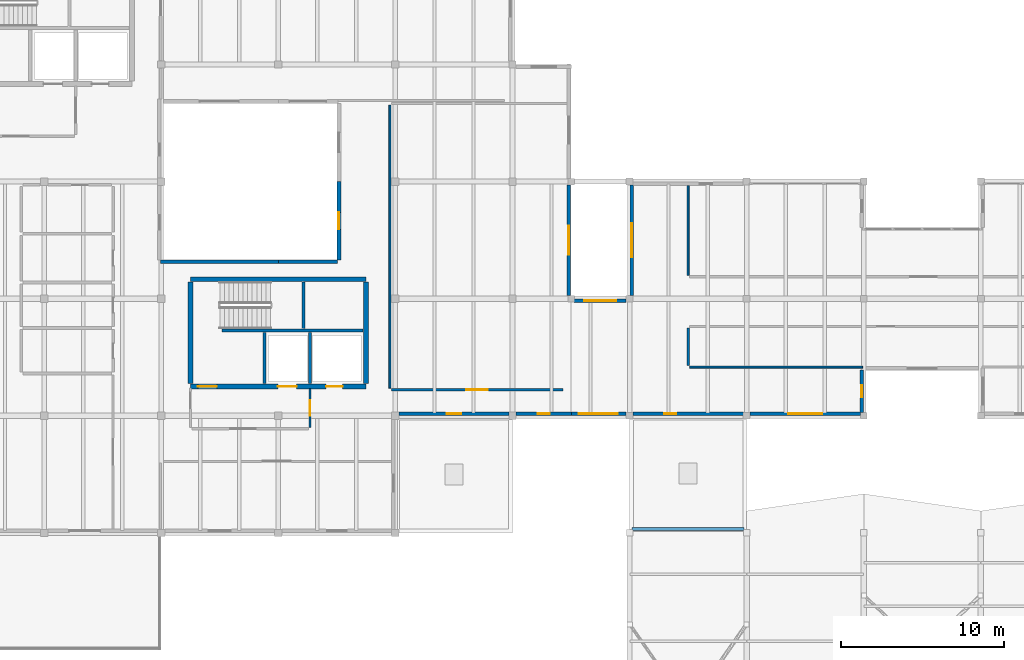
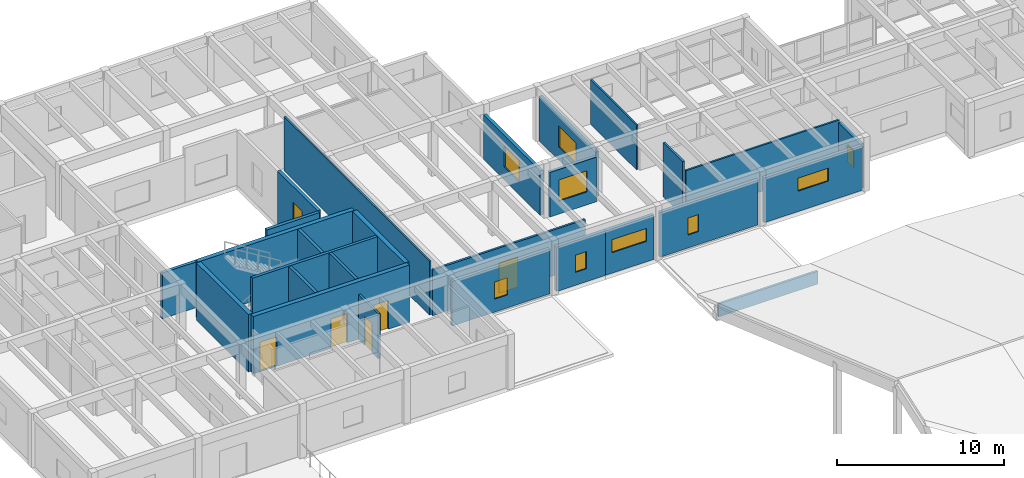
# One storey, part 57 of 68: 27 walls, 10 windows, 5 doors, 15 openings.
"""IFC4 building model written with IfcOpenShell, lengths in metres."""

from ifc_helpers import new_model, si_unit, direction, frame, frame_2d, origin, place, context, subcontext, project, spatial, rectangle, extrude, material, layer, layer_set, type_object, element, fill, save


model = new_model("IFC4")

# Units and contexts
model_context = context("Model", 3, precision=1e-05, world=origin(), true_north=direction((0.0, 1.0)))
body_context = subcontext(model_context, "Body", "Model", "MODEL_VIEW")
ifc_project = project(units=[si_unit("LENGTHUNIT", "METRE"), si_unit("AREAUNIT", "SQUARE_METRE"), si_unit("VOLUMEUNIT", "CUBIC_METRE"), si_unit("PLANEANGLEUNIT", "RADIAN"), si_unit("MASSUNIT", "GRAM", prefix="KILO")], contexts=[model_context])

# Site, building, storey
site_placement = place(None, origin())
site = spatial("IfcSite", under=ifc_project, at=site_placement, CompositionType="ELEMENT")
building_placement = place(site_placement, origin())
building = spatial("IfcBuilding", under=site, at=building_placement, Name="Bramvelor Terrace Health Centre", CompositionType="ELEMENT")
storey_placement = place(building_placement, frame((0.0, 0.0, 9.300048828125)))
storey = spatial("IfcBuildingStorey", under=building, at=storey_placement, Name="L03", CompositionType="ELEMENT", Elevation=9.300048828125)

# Walls
ifc_material_1 = material(Name="Acoustic clinical partition board", Category="gypsum")
ifc_layer_1 = layer(ifc_material_1, 0.110107421875)
ifc_layer_set_1 = layer_set([ifc_layer_1], Name="Acoustic clinical partition board")
wall_type_1 = type_object("IfcWallType", Name="WL-CLN-110", PredefinedType="PARTITIONING", material=ifc_layer_set_1)
wall_1_placement = place(storey_placement, frame((28.4599609375, 88.10009765625, 0.0), z_axis=(0.0, 0.0, 1.0), x_axis=(0.0, 1.0, 0.0)))
element("IfcWall", 1, at=wall_1_placement, inside=storey, type_object=wall_type_1, Name="L03 Interior Partition 258", PredefinedType="PARTITIONING", context=body_context, shape_type="SweptSolid", body=[
    extrude(rectangle(XDim=17.409912109375, YDim=0.110107421875, at=frame_2d((8.705078125, 0.0))), origin(), (0.0, 0.0, 1.0), 3.969970703125),
])
wall_2_placement = place(storey_placement, frame((46.800048828125, 95.0419921875, 0.0), z_axis=(0.0, 0.0, 1.0), x_axis=(0.0, 1.0, 0.0)))
element("IfcWall", 2, at=wall_2_placement, inside=storey, type_object=wall_type_1, Name="L03 Interior Partition 270", PredefinedType="PARTITIONING", context=body_context, shape_type="SweptSolid", body=[
    extrude(rectangle(XDim=5.508056640625, YDim=0.110107421875, at=frame_2d((2.75390625, 0.0))), origin(), (0.0, 0.0, 1.0), 3.27001953125),
])
ifc_material_2 = material(Name="Acoustic clinical partition board", Category="gypsum")
ifc_layer_2 = layer(ifc_material_2, 0.1201171875)
ifc_layer_set_2 = layer_set([ifc_layer_2], Name="Acoustic clinical partition board")
wall_type_2 = type_object("IfcWallType", Name="WL-CLN-120", PredefinedType="PARTITIONING", material=ifc_layer_set_2)
wall_3_placement = place(storey_placement, frame((57.53076171875, 89.39990234375, 0.0), z_axis=(0.0, 0.0, 1.0), x_axis=(-1.0, 0.0, 0.0)))
element("IfcWall", 3, at=wall_3_placement, inside=storey, type_object=wall_type_2, Name="L03 Interior Partition 263", PredefinedType="PARTITIONING", context=body_context, shape_type="SweptSolid", body=[
    extrude(rectangle(XDim=10.638671875, YDim=0.1201171875, at=frame_2d((5.3193359375, 0.0))), origin(), (0.0, 0.0, 1.0), 3.349853515625),
])

# Wall, opening, door
ifc_material_3 = material(Name="Fire-rated gypsum and mineral wool", Category="gypsum")
ifc_layer_3 = layer(ifc_material_3, 0.139892578125)
ifc_layer_set_3 = layer_set([ifc_layer_3], Name="Fire-rated gypsum and mineral wool")
wall_type_3 = type_object("IfcWallType", Name="WL-COR-140", PredefinedType="PARTITIONING", material=ifc_layer_set_3)
wall_4_placement = place(storey_placement, frame((39.110107421875, 88.010009765625, 0.0), z_axis=(0.0, 0.0, 1.0), x_axis=(-1.0, 0.0, 0.0)))
wall_4 = element("IfcWall", 4, at=wall_4_placement, inside=storey, type_object=wall_type_3, Name="L03 Interior Partition 257", PredefinedType="PARTITIONING", context=body_context, shape_type="SweptSolid", body=[
    extrude(rectangle(XDim=10.56005859375, YDim=0.139892578125, at=frame_2d((5.280029296875, 0.0))), origin(), (0.0, 0.0, 1.0), 3.349853515625),
])
opening_1_placement = place(wall_4_placement, frame((4.6201171875, 0.0, 0.0)))
opening_1 = element("IfcOpeningElement", 5, at=opening_1_placement, cuts=wall_4, Name="Opening FD-05", PredefinedType="OPENING", context=body_context, shape_type="SweptSolid", body=[
    extrude(rectangle(XDim=1.320068359375, YDim=2.199951171875, at=frame_2d((0.66015625, 1.10009765625))), frame((0.0, 0.079833984375, 0.0), z_axis=(0.0, -1.0, 0.0), x_axis=(1.0, 0.0, 0.0)), (0.0, 0.0, 1.0), 0.159912109375),
])
ifc_material_4 = material(Name="Fire-rated steel and vision panel", Category="steel")
door_type_1 = type_object("IfcDoorType", Name="DR-FD60-132", OperationType="NOTDEFINED", PredefinedType="DOOR", material=ifc_material_4)
door_1_placement = place(opening_1_placement, origin())
door_1 = element("IfcDoor", 6, at=door_1_placement, inside=storey, type_object=door_type_1, Name="L03 Step-1 Terrace Patient Lounge Fire Door", OperationType="SINGLE_SWING_RIGHT", OverallHeight=2.199951171875, OverallWidth=1.320068359375, PredefinedType="DOOR", context=body_context, shape_type="SweptSolid", body=[
    extrude(rectangle(XDim=1.320068359375, YDim=2.199951171875, at=frame_2d((0.66015625, 1.10009765625))), frame((0.0, 0.02490234375, 0.0), z_axis=(0.0, -1.0, 0.0), x_axis=(1.0, 0.0, 0.0)), (0.0, 0.0, 1.0), 0.050048828125),
])
fill(opening_1, door_1)

# Walls
wall_5_placement = place(storey_placement, frame((46.802001953125, 89.489990234375, 0.0), z_axis=(0.0, 0.0, 1.0), x_axis=(0.0, 1.0, 0.0)))
element("IfcWall", 7, at=wall_5_placement, inside=storey, type_object=wall_type_3, Name="L03 Interior Partition 264", PredefinedType="PARTITIONING", context=body_context, shape_type="SweptSolid", body=[
    extrude(rectangle(XDim=2.318115234375, YDim=0.139892578125, at=frame_2d((1.1591796875, 0.0))), origin(), (0.0, 0.0, 1.0), 3.969970703125),
])
ifc_material_5 = material(Name="Concrete C40/50", Category="concrete")
ifc_layer_4 = layer(ifc_material_5, 0.199951171875)
ifc_layer_set_4 = layer_set([ifc_layer_4], Name="Concrete C40/50")
wall_type_4 = type_object("IfcWallType", Name="WL-CORE-200", PredefinedType="SHEAR", material=ifc_layer_set_4)
wall_6_placement = place(storey_placement, frame((18.14990234375, 91.64990234375, 0.0), z_axis=(0.0, 0.0, 1.0), x_axis=(1.0, 0.0, 0.0)))
element("IfcWall", 8, at=wall_6_placement, inside=storey, type_object=wall_type_4, Name="C2 L03 Core Shear Wall", PredefinedType="SHEAR", context=body_context, shape_type="SweptSolid", body=[
    extrude(rectangle(XDim=8.670166015625, YDim=0.199951171875, at=frame_2d((4.3349609375, 0.0))), origin(), (0.0, 0.0, 1.0), 4.199951171875),
])
wall_7_placement = place(storey_placement, frame((23.155029296875, 91.77001953125, 0.0), z_axis=(0.0, 0.0, 1.0), x_axis=(0.0, 1.0, 0.0)))
element("IfcWall", 9, at=wall_7_placement, inside=storey, type_object=wall_type_4, Name="C2 L03 Core Shear Wall", PredefinedType="SHEAR", context=body_context, shape_type="SweptSolid", body=[
    extrude(rectangle(XDim=2.85009765625, YDim=0.199951171875, at=frame_2d((1.425048828125, 0.0))), origin(), (0.0, 0.0, 1.0), 4.199951171875),
])
for number, where, z_axis, x_axis, name in (
    (10, (20.75, 88.3798828125, 0.0), (0.0, 0.0, 1.0), (0.0, 1.0, 0.0), "C2 L03 Core Shear Wall"),
    (11, (23.550048828125, 88.3798828125, 0.0), (0.0, 0.0, 1.0), (0.0, 1.0, 0.0), "C2 L03 Lift Divider Wall"),
):
    element("IfcWall", number, at=place(storey_placement, frame(where, z_axis=z_axis, x_axis=x_axis)), inside=storey, type_object=wall_type_4, Name=name, PredefinedType="SHEAR", context=body_context, shape_type="SweptSolid", body=[
        extrude(rectangle(XDim=3.150146484375, YDim=0.199951171875, at=frame_2d((1.5751953125, 0.0))), origin(), (0.0, 0.0, 1.0), 4.199951171875),
    ])

# Wall, openings, doors
ifc_material_6 = material(Name="Concrete C40/50", Category="concrete")
ifc_layer_5 = layer(ifc_material_6, 0.300048828125)
ifc_layer_set_5 = layer_set([ifc_layer_5], Name="Concrete C40/50")
wall_type_5 = type_object("IfcWallType", Name="WL-CORE-300", PredefinedType="SHEAR", material=ifc_layer_set_5)
wall_8_placement = place(storey_placement, frame((16.199951171875, 88.199951171875, 0.0), z_axis=(0.0, 0.0, 1.0), x_axis=(1.0, 0.0, 0.0)))
wall_8 = element("IfcWall", 12, at=wall_8_placement, inside=storey, type_object=wall_type_5, Name="C2 L03 Core Shear Wall", PredefinedType="SHEAR", context=body_context, shape_type="SweptSolid", body=[
    extrude(rectangle(XDim=10.800048828125, YDim=0.300048828125, at=frame_2d((5.39990234375, 0.0))), origin(), (0.0, 0.0, 1.0), 4.199951171875),
])
opening_2_placement = place(wall_8_placement, frame((0.449951171875, 0.0, 0.0)))
opening_2 = element("IfcOpeningElement", 13, at=opening_2_placement, cuts=wall_8, Name="Opening FD-02", PredefinedType="OPENING", context=body_context, shape_type="SweptSolid", body=[
    extrude(rectangle(XDim=1.179931640625, YDim=2.159912109375, at=frame_2d((0.58984375, 1.080078125))), frame((0.0, 0.159912109375, 0.0), z_axis=(0.0, -1.0, 0.0), x_axis=(1.0, 0.0, 0.0)), (0.0, 0.0, 1.0), 0.320068359375),
])
opening_3_placement = place(wall_8_placement, frame((5.375, 0.0, 0.0)))
opening_3 = element("IfcOpeningElement", 14, at=opening_3_placement, cuts=wall_8, Name="Opening LD-1", PredefinedType="OPENING", context=body_context, shape_type="SweptSolid", body=[
    extrude(rectangle(XDim=1.14990234375, YDim=2.14990234375, at=frame_2d((0.574951171875, 1.074951171875))), frame((0.0, 0.159912109375, 0.0), z_axis=(0.0, -1.0, 0.0), x_axis=(1.0, 0.0, 0.0)), (0.0, 0.0, 1.0), 0.320068359375),
])
opening_4_placement = place(wall_8_placement, frame((8.340087890625, 0.0, 0.0)))
opening_4 = element("IfcOpeningElement", 15, at=opening_4_placement, cuts=wall_8, Name="Opening LD-2", PredefinedType="OPENING", context=body_context, shape_type="SweptSolid", body=[
    extrude(rectangle(XDim=1.02001953125, YDim=2.1201171875, at=frame_2d((0.510009765625, 1.06005859375))), frame((0.0, 0.159912109375, 0.0), z_axis=(0.0, -1.0, 0.0), x_axis=(1.0, 0.0, 0.0)), (0.0, 0.0, 1.0), 0.320068359375),
])
ifc_material_7 = material(Name="Fire-rated steel and vision panel", Category="steel")
door_type_2 = type_object("IfcDoorType", Name="DR-FD90-118", OperationType="NOTDEFINED", PredefinedType="DOOR", material=ifc_material_7)
door_2_placement = place(opening_2_placement, origin())
door_2 = element("IfcDoor", 16, at=door_2_placement, inside=storey, type_object=door_type_2, Name="C2 L03 Core Stair Fire Door", OperationType="SINGLE_SWING_LEFT", OverallHeight=2.159912109375, OverallWidth=1.179931640625, PredefinedType="DOOR", context=body_context, shape_type="SweptSolid", body=[
    extrude(rectangle(XDim=1.179931640625, YDim=2.159912109375, at=frame_2d((0.58984375, 1.080078125))), frame((0.0, 0.02490234375, 0.0), z_axis=(0.0, -1.0, 0.0), x_axis=(1.0, 0.0, 0.0)), (0.0, 0.0, 1.0), 0.050048828125),
])
fill(opening_2, door_2)
ifc_material_8 = material(Name="Brushed stainless steel 316", Category="steel")
door_type_3 = type_object("IfcDoorType", Name="DR-LIFT-FF115", OperationType="DOUBLE_DOOR_SLIDING", PredefinedType="DOOR", material=ifc_material_8)
door_3_placement = place(opening_3_placement, origin())
door_3 = element("IfcDoor", 17, at=door_3_placement, inside=storey, type_object=door_type_3, Name="Lift LF-02 L03 Sliding Landing Door", OperationType="DOUBLE_DOOR_SLIDING", OverallHeight=2.14990234375, OverallWidth=1.14990234375, PredefinedType="DOOR", context=body_context, shape_type="SweptSolid", body=[
    extrude(rectangle(XDim=1.14990234375, YDim=2.14990234375, at=frame_2d((0.574951171875, 1.074951171875))), frame((0.0, 0.02490234375, 0.0), z_axis=(0.0, -1.0, 0.0), x_axis=(1.0, 0.0, 0.0)), (0.0, 0.0, 1.0), 0.050048828125),
])
fill(opening_3, door_3)
ifc_material_9 = material(Name="Brushed stainless steel 316", Category="steel")
door_type_4 = type_object("IfcDoorType", Name="DR-LIFT-PS102", OperationType="SLIDING_TO_LEFT", PredefinedType="DOOR", material=ifc_material_9)
door_4_placement = place(opening_4_placement, origin())
door_4 = element("IfcDoor", 18, at=door_4_placement, inside=storey, type_object=door_type_4, Name="Lift LP-02 L03 Sliding Landing Door", OperationType="SLIDING_TO_LEFT", OverallHeight=2.1201171875, OverallWidth=1.02001953125, PredefinedType="DOOR", context=body_context, shape_type="SweptSolid", body=[
    extrude(rectangle(XDim=1.02001953125, YDim=2.1201171875, at=frame_2d((0.510009765625, 1.06005859375))), frame((0.0, 0.02490234375, 0.0), z_axis=(0.0, -1.0, 0.0), x_axis=(1.0, 0.0, 0.0)), (0.0, 0.0, 1.0), 0.050048828125),
])
fill(opening_4, door_4)

# Walls
wall_9_placement = place(storey_placement, frame((16.199951171875, 94.800048828125, 0.0), z_axis=(0.0, 0.0, 1.0), x_axis=(1.0, 0.0, 0.0)))
element("IfcWall", 19, at=wall_9_placement, inside=storey, type_object=wall_type_5, Name="C2 L03 Core Shear Wall", PredefinedType="SHEAR", context=body_context, shape_type="SweptSolid", body=[
    extrude(rectangle(XDim=10.800048828125, YDim=0.300048828125, at=frame_2d((5.39990234375, 0.0))), origin(), (0.0, 0.0, 1.0), 4.199951171875),
])
for number, where, z_axis, x_axis, name in (
    (20, (16.199951171875, 88.3798828125, 0.0), (0.0, 0.0, 1.0), (0.0, 1.0, 0.0), "C2 L03 Core Shear Wall"),
    (21, (27.0, 88.3798828125, 0.0), (0.0, 0.0, 1.0), (0.0, 1.0, 0.0), "C2 L03 Core Shear Wall"),
):
    element("IfcWall", number, at=place(storey_placement, frame(where, z_axis=z_axis, x_axis=x_axis)), inside=storey, type_object=wall_type_5, Name=name, PredefinedType="SHEAR", context=body_context, shape_type="SweptSolid", body=[
        extrude(rectangle(XDim=6.240234375, YDim=0.300048828125, at=frame_2d((3.1201171875, 0.0))), origin(), (0.0, 0.0, 1.0), 4.199951171875),
    ])

# Wall, opening, window
ifc_material_10 = material(Name="Cross-laminated timber C24", Category="wood")
ifc_layer_6 = layer(ifc_material_10, 0.219970703125)
ifc_layer_set_6 = layer_set([ifc_layer_6], Name="Cross-laminated timber C24")
wall_type_6 = type_object("IfcWallType", Name="WL-EXT-CLT220", PredefinedType="SOLIDWALL", material=ifc_layer_set_6)
wall_10_placement = place(storey_placement, frame((57.469970703125, 89.219970703125, 0.0), z_axis=(0.0, 0.0, 1.0), x_axis=(0.0, -1.0, 0.0)))
wall_10 = element("IfcWall", 22, at=wall_10_placement, inside=storey, type_object=wall_type_6, Name="L03 Exterior Facade Wall 60", PredefinedType="SOLIDWALL", context=body_context, shape_type="SweptSolid", body=[
    extrude(rectangle(XDim=2.614990234375, YDim=0.219970703125, at=frame_2d((1.3076171875, 0.0))), origin(), (0.0, 0.0, 1.0), 3.27001953125),
])
opening_5_placement = place(wall_10_placement, frame((0.9326171875, 0.0, 0.949951171875)))
opening_5 = element("IfcOpeningElement", 23, at=opening_5_placement, cuts=wall_10, Name="Opening WN-25", PredefinedType="OPENING", context=body_context, shape_type="SweptSolid", body=[
    extrude(rectangle(XDim=0.75, YDim=1.25, at=frame_2d((0.375, 0.625))), frame((0.0, 0.119873046875, 0.0), z_axis=(0.0, -1.0, 0.0), x_axis=(1.0, 0.0, 0.0)), (0.0, 0.0, 1.0), 0.239990234375),
])
ifc_material_11 = material(Name="Double low-E laminated glass", Category="glass")
window_type_1 = type_object("IfcWindowType", Name="WIN-EXT-25", PartitioningType="SINGLE_PANEL", PredefinedType="WINDOW", material=ifc_material_11)
window_1_placement = place(opening_5_placement, origin())
window_1 = element("IfcWindow", 24, at=window_1_placement, inside=storey, type_object=window_type_1, Name="L03 Scheduled Clinical Window 141", OverallHeight=1.25, OverallWidth=0.75, PartitioningType="SINGLE_PANEL", PredefinedType="WINDOW", context=body_context, shape_type="SweptSolid", body=[
    extrude(rectangle(XDim=0.75, YDim=1.25, at=frame_2d((0.375, 0.625))), frame((0.0, 0.030029296875, 0.0), z_axis=(0.0, -1.0, 0.0), x_axis=(1.0, 0.0, 0.0)), (0.0, 0.0, 1.0), 0.06005859375),
])
fill(opening_5, window_1)

wall_11_placement = place(storey_placement, frame((57.39501953125, 86.530029296875, 0.0), z_axis=(0.0, 0.0, 1.0), x_axis=(-1.0, 0.0, 0.0)))
wall_11 = element("IfcWall", 25, at=wall_11_placement, inside=storey, type_object=wall_type_6, Name="L03 Exterior Facade Wall 61", PredefinedType="SOLIDWALL", context=body_context, shape_type="SweptSolid", body=[
    extrude(rectangle(XDim=6.7900390625, YDim=0.219970703125, at=frame_2d((3.39501953125, 0.0))), origin(), (0.0, 0.0, 1.0), 3.27001953125),
])
opening_6_placement = place(wall_11_placement, frame((2.344970703125, 0.0, 1.5)))
opening_6 = element("IfcOpeningElement", 26, at=opening_6_placement, cuts=wall_11, Name="Opening WN-22", PredefinedType="OPENING", context=body_context, shape_type="SweptSolid", body=[
    extrude(rectangle(XDim=2.10009765625, YDim=0.949951171875, at=frame_2d((1.050048828125, 0.47509765625))), frame((0.0, 0.119873046875, 0.0), z_axis=(0.0, -1.0, 0.0), x_axis=(1.0, 0.0, 0.0)), (0.0, 0.0, 1.0), 0.239990234375),
])
ifc_material_12 = material(Name="Double low-E laminated glass", Category="glass")
window_type_2 = type_object("IfcWindowType", Name="WIN-EXT-22", PartitioningType="SINGLE_PANEL", PredefinedType="WINDOW", material=ifc_material_12)
window_2_placement = place(opening_6_placement, origin())
window_2 = element("IfcWindow", 27, at=window_2_placement, inside=storey, type_object=window_type_2, Name="L03 Scheduled Clinical Window 142", OverallHeight=0.949951171875, OverallWidth=2.10009765625, PartitioningType="SINGLE_PANEL", PredefinedType="WINDOW", context=body_context, shape_type="SweptSolid", body=[
    extrude(rectangle(XDim=2.10009765625, YDim=0.949951171875, at=frame_2d((1.050048828125, 0.47509765625))), frame((0.0, 0.030029296875, 0.0), z_axis=(0.0, -1.0, 0.0), x_axis=(1.0, 0.0, 0.0)), (0.0, 0.0, 1.0), 0.06005859375),
])
fill(opening_6, window_2)

wall_12_placement = place(storey_placement, frame((50.195068359375, 86.530029296875, 0.0), z_axis=(0.0, 0.0, 1.0), x_axis=(-1.0, 0.0, 0.0)))
wall_12 = element("IfcWall", 28, at=wall_12_placement, inside=storey, type_object=wall_type_6, Name="L03 Exterior Facade Wall 62", PredefinedType="SOLIDWALL", context=body_context, shape_type="SweptSolid", body=[
    extrude(rectangle(XDim=6.7900390625, YDim=0.219970703125, at=frame_2d((3.39501953125, 0.0))), origin(), (0.0, 0.0, 1.0), 3.27001953125),
])
opening_7_placement = place(wall_12_placement, frame((4.1201171875, 0.0, 0.949951171875)))
opening_7 = element("IfcOpeningElement", 29, at=opening_7_placement, cuts=wall_12, Name="Opening WN-25", PredefinedType="OPENING", context=body_context, shape_type="SweptSolid", body=[
    extrude(rectangle(XDim=0.75, YDim=1.25, at=frame_2d((0.375, 0.625))), frame((0.0, 0.119873046875, 0.0), z_axis=(0.0, -1.0, 0.0), x_axis=(1.0, 0.0, 0.0)), (0.0, 0.0, 1.0), 0.239990234375),
])
window_3_placement = place(opening_7_placement, origin())
window_3 = element("IfcWindow", 30, at=window_3_placement, inside=storey, type_object=window_type_1, Name="L03 Scheduled Clinical Window 143", OverallHeight=1.25, OverallWidth=0.75, PartitioningType="SINGLE_PANEL", PredefinedType="WINDOW", context=body_context, shape_type="SweptSolid", body=[
    extrude(rectangle(XDim=0.75, YDim=1.25, at=frame_2d((0.375, 0.625))), frame((0.0, 0.030029296875, 0.0), z_axis=(0.0, -1.0, 0.0), x_axis=(1.0, 0.0, 0.0)), (0.0, 0.0, 1.0), 0.06005859375),
])
fill(opening_7, window_3)

wall_13_placement = place(storey_placement, frame((42.9951171875, 86.530029296875, 0.0), z_axis=(0.0, 0.0, 1.0), x_axis=(-1.0, 0.0, 0.0)))
wall_13 = element("IfcWall", 31, at=wall_13_placement, inside=storey, type_object=wall_type_6, Name="L03 Exterior Facade Wall 63", PredefinedType="SOLIDWALL", context=body_context, shape_type="SweptSolid", body=[
    extrude(rectangle(XDim=3.43505859375, YDim=0.219970703125, at=frame_2d((1.717529296875, 0.0))), origin(), (0.0, 0.0, 1.0), 3.260009765625),
])
opening_8_placement = place(wall_13_placement, frame((0.517578125, 0.0, 1.5)))
opening_8 = element("IfcOpeningElement", 32, at=opening_8_placement, cuts=wall_13, Name="Opening WN-24", PredefinedType="OPENING", context=body_context, shape_type="SweptSolid", body=[
    extrude(rectangle(XDim=2.39990234375, YDim=0.949951171875, at=frame_2d((1.199951171875, 0.47509765625))), frame((0.0, 0.119873046875, 0.0), z_axis=(0.0, -1.0, 0.0), x_axis=(1.0, 0.0, 0.0)), (0.0, 0.0, 1.0), 0.239990234375),
])
ifc_material_13 = material(Name="Double low-E laminated glass", Category="glass")
window_type_3 = type_object("IfcWindowType", Name="WIN-EXT-24", PartitioningType="SINGLE_PANEL", PredefinedType="WINDOW", material=ifc_material_13)
window_4_placement = place(opening_8_placement, origin())
window_4 = element("IfcWindow", 33, at=window_4_placement, inside=storey, type_object=window_type_3, Name="L03 Scheduled Clinical Window 144", OverallHeight=0.949951171875, OverallWidth=2.39990234375, PartitioningType="SINGLE_PANEL", PredefinedType="WINDOW", context=body_context, shape_type="SweptSolid", body=[
    extrude(rectangle(XDim=2.39990234375, YDim=0.949951171875, at=frame_2d((1.199951171875, 0.47509765625))), frame((0.0, 0.030029296875, 0.0), z_axis=(0.0, -1.0, 0.0), x_axis=(1.0, 0.0, 0.0)), (0.0, 0.0, 1.0), 0.06005859375),
])
fill(opening_8, window_4)

wall_14_placement = place(storey_placement, frame((39.639892578125, 86.530029296875, 0.0), z_axis=(0.0, 0.0, 1.0), x_axis=(-1.0, 0.0, 0.0)))
wall_14 = element("IfcWall", 34, at=wall_14_placement, inside=storey, type_object=wall_type_6, Name="L03 Exterior Facade Wall 64", PredefinedType="SOLIDWALL", context=body_context, shape_type="SweptSolid", body=[
    extrude(rectangle(XDim=3.419921875, YDim=0.219970703125, at=frame_2d((1.7099609375, 0.0))), origin(), (0.0, 0.0, 1.0), 3.260009765625),
])
opening_9_placement = place(wall_14_placement, frame((1.3349609375, 0.0, 0.949951171875)))
opening_9 = element("IfcOpeningElement", 35, at=opening_9_placement, cuts=wall_14, Name="Opening WN-25", PredefinedType="OPENING", context=body_context, shape_type="SweptSolid", body=[
    extrude(rectangle(XDim=0.75, YDim=1.25, at=frame_2d((0.375, 0.625))), frame((0.0, 0.119873046875, 0.0), z_axis=(0.0, -1.0, 0.0), x_axis=(1.0, 0.0, 0.0)), (0.0, 0.0, 1.0), 0.239990234375),
])
window_5_placement = place(opening_9_placement, origin())
window_5 = element("IfcWindow", 36, at=window_5_placement, inside=storey, type_object=window_type_1, Name="L03 Scheduled Clinical Window 145", OverallHeight=1.25, OverallWidth=0.75, PartitioningType="SINGLE_PANEL", PredefinedType="WINDOW", context=body_context, shape_type="SweptSolid", body=[
    extrude(rectangle(XDim=0.75, YDim=1.25, at=frame_2d((0.375, 0.625))), frame((0.0, 0.030029296875, 0.0), z_axis=(0.0, -1.0, 0.0), x_axis=(1.0, 0.0, 0.0)), (0.0, 0.0, 1.0), 0.06005859375),
])
fill(opening_9, window_5)

wall_15_placement = place(storey_placement, frame((35.780029296875, 86.530029296875, 0.0), z_axis=(0.0, 0.0, 1.0), x_axis=(-1.0, 0.0, 0.0)))
wall_15 = element("IfcWall", 37, at=wall_15_placement, inside=storey, type_object=wall_type_6, Name="L03 Exterior Facade Wall 65", PredefinedType="SOLIDWALL", context=body_context, shape_type="SweptSolid", body=[
    extrude(rectangle(XDim=6.760009765625, YDim=0.219970703125, at=frame_2d((3.3798828125, 0.0))), origin(), (0.0, 0.0, 1.0), 3.27001953125),
])
opening_10_placement = place(wall_15_placement, frame((2.929931640625, 0.0, 0.949951171875)))
opening_10 = element("IfcOpeningElement", 38, at=opening_10_placement, cuts=wall_15, Name="Opening WN-26", PredefinedType="OPENING", context=body_context, shape_type="SweptSolid", body=[
    extrude(rectangle(XDim=0.89990234375, YDim=1.25, at=frame_2d((0.449951171875, 0.625))), frame((0.0, 0.119873046875, 0.0), z_axis=(0.0, -1.0, 0.0), x_axis=(1.0, 0.0, 0.0)), (0.0, 0.0, 1.0), 0.239990234375),
])
ifc_material_14 = material(Name="Double low-E laminated glass", Category="glass")
window_type_4 = type_object("IfcWindowType", Name="WIN-EXT-26", PartitioningType="SINGLE_PANEL", PredefinedType="WINDOW", material=ifc_material_14)
window_6_placement = place(opening_10_placement, origin())
window_6 = element("IfcWindow", 39, at=window_6_placement, inside=storey, type_object=window_type_4, Name="L03 Scheduled Clinical Window 146", OverallHeight=1.25, OverallWidth=0.89990234375, PartitioningType="SINGLE_PANEL", PredefinedType="WINDOW", context=body_context, shape_type="SweptSolid", body=[
    extrude(rectangle(XDim=0.89990234375, YDim=1.25, at=frame_2d((0.449951171875, 0.625))), frame((0.0, 0.030029296875, 0.0), z_axis=(0.0, -1.0, 0.0), x_axis=(1.0, 0.0, 0.0)), (0.0, 0.0, 1.0), 0.06005859375),
])
fill(opening_10, window_6)

wall_16_placement = place(storey_placement, frame((39.469970703125, 100.60498046875, 0.0), z_axis=(0.0, 0.0, 1.0), x_axis=(0.0, -1.0, 0.0)))
wall_16 = element("IfcWall", 40, at=wall_16_placement, inside=storey, type_object=wall_type_6, Name="L03 Exterior Facade Wall 84", PredefinedType="SOLIDWALL", context=body_context, shape_type="SweptSolid", body=[
    extrude(rectangle(XDim=6.81005859375, YDim=0.219970703125, at=frame_2d((3.405029296875, 0.0))), origin(), (0.0, 0.0, 1.0), 3.260009765625),
])
opening_11_placement = place(wall_16_placement, frame((2.5048828125, 0.0, 0.949951171875)))
opening_11 = element("IfcOpeningElement", 41, at=opening_11_placement, cuts=wall_16, Name="Opening WN-44", PredefinedType="OPENING", context=body_context, shape_type="SweptSolid", body=[
    extrude(rectangle(XDim=1.800048828125, YDim=1.550048828125, at=frame_2d((0.89990234375, 0.77490234375))), frame((0.0, 0.119873046875, 0.0), z_axis=(0.0, -1.0, 0.0), x_axis=(1.0, 0.0, 0.0)), (0.0, 0.0, 1.0), 0.239990234375),
])
ifc_material_15 = material(Name="Double low-E laminated glass", Category="glass")
window_type_5 = type_object("IfcWindowType", Name="WIN-EXT-44", PartitioningType="SINGLE_PANEL", PredefinedType="WINDOW", material=ifc_material_15)
window_7_placement = place(opening_11_placement, origin())
window_7 = element("IfcWindow", 42, at=window_7_placement, inside=storey, type_object=window_type_5, Name="L03 Scheduled Clinical Window 164", OverallHeight=1.550048828125, OverallWidth=1.800048828125, PartitioningType="SINGLE_PANEL", PredefinedType="WINDOW", context=body_context, shape_type="SweptSolid", body=[
    extrude(rectangle(XDim=1.800048828125, YDim=1.550048828125, at=frame_2d((0.89990234375, 0.77490234375))), frame((0.0, 0.030029296875, 0.0), z_axis=(0.0, -1.0, 0.0), x_axis=(1.0, 0.0, 0.0)), (0.0, 0.0, 1.0), 0.06005859375),
])
fill(opening_11, window_7)

wall_17_placement = place(storey_placement, frame((39.794921875, 93.469970703125, 0.0), z_axis=(0.0, 0.0, 1.0), x_axis=(1.0, 0.0, 0.0)))
wall_17 = element("IfcWall", 43, at=wall_17_placement, inside=storey, type_object=wall_type_6, Name="L03 Exterior Facade Wall 85", PredefinedType="SOLIDWALL", context=body_context, shape_type="SweptSolid", body=[
    extrude(rectangle(XDim=3.2001953125, YDim=0.219970703125, at=frame_2d((1.60009765625, 0.0))), origin(), (0.0, 0.0, 1.0), 3.260009765625),
])
opening_12_placement = place(wall_17_placement, frame((0.625, 0.0, 0.949951171875)))
opening_12 = element("IfcOpeningElement", 44, at=opening_12_placement, cuts=wall_17, Name="Opening WN-45", PredefinedType="OPENING", context=body_context, shape_type="SweptSolid", body=[
    extrude(rectangle(XDim=1.949951171875, YDim=1.550048828125, at=frame_2d((0.97509765625, 0.77490234375))), frame((0.0, 0.119873046875, 0.0), z_axis=(0.0, -1.0, 0.0), x_axis=(1.0, 0.0, 0.0)), (0.0, 0.0, 1.0), 0.239990234375),
])
ifc_material_16 = material(Name="Double low-E laminated glass", Category="glass")
window_type_6 = type_object("IfcWindowType", Name="WIN-EXT-45", PartitioningType="SINGLE_PANEL", PredefinedType="WINDOW", material=ifc_material_16)
window_8_placement = place(opening_12_placement, origin())
window_8 = element("IfcWindow", 45, at=window_8_placement, inside=storey, type_object=window_type_6, Name="L03 Scheduled Clinical Window 165", OverallHeight=1.550048828125, OverallWidth=1.949951171875, PartitioningType="SINGLE_PANEL", PredefinedType="WINDOW", context=body_context, shape_type="SweptSolid", body=[
    extrude(rectangle(XDim=1.949951171875, YDim=1.550048828125, at=frame_2d((0.97509765625, 0.77490234375))), frame((0.0, 0.030029296875, 0.0), z_axis=(0.0, -1.0, 0.0), x_axis=(1.0, 0.0, 0.0)), (0.0, 0.0, 1.0), 0.06005859375),
])
fill(opening_12, window_8)

wall_18_placement = place(storey_placement, frame((43.330078125, 93.804931640625, 0.0), z_axis=(0.0, 0.0, 1.0), x_axis=(0.0, 1.0, 0.0)))
wall_18 = element("IfcWall", 46, at=wall_18_placement, inside=storey, type_object=wall_type_6, Name="L03 Exterior Facade Wall 86", PredefinedType="SOLIDWALL", context=body_context, shape_type="SweptSolid", body=[
    extrude(rectangle(XDim=6.7900390625, YDim=0.219970703125, at=frame_2d((3.39501953125, 0.0))), origin(), (0.0, 0.0, 1.0), 3.27001953125),
])
opening_13_placement = place(wall_18_placement, frame((2.344970703125, 0.0, 0.949951171875)))
opening_13 = element("IfcOpeningElement", 47, at=opening_13_placement, cuts=wall_18, Name="Opening WN-46", PredefinedType="OPENING", context=body_context, shape_type="SweptSolid", body=[
    extrude(rectangle(XDim=2.10009765625, YDim=1.550048828125, at=frame_2d((1.050048828125, 0.77490234375))), frame((0.0, 0.119873046875, 0.0), z_axis=(0.0, -1.0, 0.0), x_axis=(1.0, 0.0, 0.0)), (0.0, 0.0, 1.0), 0.239990234375),
])
ifc_material_17 = material(Name="Double low-E laminated glass", Category="glass")
window_type_7 = type_object("IfcWindowType", Name="WIN-EXT-46", PartitioningType="SINGLE_PANEL", PredefinedType="WINDOW", material=ifc_material_17)
window_9_placement = place(opening_13_placement, origin())
window_9 = element("IfcWindow", 48, at=window_9_placement, inside=storey, type_object=window_type_7, Name="L03 Scheduled Clinical Window 166", OverallHeight=1.550048828125, OverallWidth=2.10009765625, PartitioningType="SINGLE_PANEL", PredefinedType="WINDOW", context=body_context, shape_type="SweptSolid", body=[
    extrude(rectangle(XDim=2.10009765625, YDim=1.550048828125, at=frame_2d((1.050048828125, 0.77490234375))), frame((0.0, 0.030029296875, 0.0), z_axis=(0.0, -1.0, 0.0), x_axis=(1.0, 0.0, 0.0)), (0.0, 0.0, 1.0), 0.06005859375),
])
fill(opening_13, window_9)

# Walls
wall_19_placement = place(storey_placement, frame((14.360107421875, 95.8701171875, 0.0), z_axis=(0.0, 0.0, 1.0), x_axis=(1.0, 0.0, 0.0)))
element("IfcWall", 49, at=wall_19_placement, inside=storey, type_object=wall_type_6, Name="L03 Exterior Facade Wall 91", PredefinedType="SOLIDWALL", context=body_context, shape_type="SweptSolid", body=[
    extrude(rectangle(XDim=7.239990234375, YDim=0.219970703125, at=frame_2d((3.6201171875, 0.0))), origin(), (0.0, 0.0, 1.0), 3.349853515625),
])
wall_20_placement = place(storey_placement, frame((21.60009765625, 95.8701171875, 0.0), z_axis=(0.0, 0.0, 1.0), x_axis=(1.0, 0.0, 0.0)))
element("IfcWall", 50, at=wall_20_placement, inside=storey, type_object=wall_type_6, Name="L03 Exterior Facade Wall 92", PredefinedType="SOLIDWALL", context=body_context, shape_type="SweptSolid", body=[
    extrude(rectangle(XDim=3.639892578125, YDim=0.219970703125, at=frame_2d((1.81982421875, 0.0))), origin(), (0.0, 0.0, 1.0), 3.969970703125),
])

# Wall, opening, window
wall_21_placement = place(storey_placement, frame((25.330078125, 95.97998046875, 0.0), z_axis=(0.0, 0.0, 1.0), x_axis=(0.0, 1.0, 0.0)))
wall_21 = element("IfcWall", 51, at=wall_21_placement, inside=storey, type_object=wall_type_6, Name="L03 Exterior Facade Wall 93", PredefinedType="SOLIDWALL", context=body_context, shape_type="SweptSolid", body=[
    extrude(rectangle(XDim=4.820068359375, YDim=0.219970703125, at=frame_2d((2.41015625, 0.0))), origin(), (0.0, 0.0, 1.0), 3.969970703125),
])
opening_14_placement = place(wall_21_placement, frame((1.885009765625, 0.0, 0.949951171875)))
opening_14 = element("IfcOpeningElement", 52, at=opening_14_placement, cuts=wall_21, Name="Opening WN-51", PredefinedType="OPENING", context=body_context, shape_type="SweptSolid", body=[
    extrude(rectangle(XDim=1.050048828125, YDim=1.85009765625, at=frame_2d((0.52490234375, 0.925048828125))), frame((0.0, 0.119873046875, 0.0), z_axis=(0.0, -1.0, 0.0), x_axis=(1.0, 0.0, 0.0)), (0.0, 0.0, 1.0), 0.239990234375),
])
ifc_material_18 = material(Name="Double low-E laminated glass", Category="glass")
window_type_8 = type_object("IfcWindowType", Name="WIN-EXT-51", PartitioningType="SINGLE_PANEL", PredefinedType="WINDOW", material=ifc_material_18)
window_10_placement = place(opening_14_placement, origin())
window_10 = element("IfcWindow", 53, at=window_10_placement, inside=storey, type_object=window_type_8, Name="L03 Scheduled Clinical Window 171", OverallHeight=1.85009765625, OverallWidth=1.050048828125, PartitioningType="SINGLE_PANEL", PredefinedType="WINDOW", context=body_context, shape_type="SweptSolid", body=[
    extrude(rectangle(XDim=1.050048828125, YDim=1.85009765625, at=frame_2d((0.52490234375, 0.925048828125))), frame((0.0, 0.030029296875, 0.0), z_axis=(0.0, -1.0, 0.0), x_axis=(1.0, 0.0, 0.0)), (0.0, 0.0, 1.0), 0.06005859375),
])
fill(opening_14, window_10)

# Wall, opening, door
ifc_material_19 = material(Name="Fire-rated gypsum and mineral wool", Category="gypsum")
ifc_layer_7 = layer(ifc_material_19, 0.14990234375)
ifc_layer_set_7 = layer_set([ifc_layer_7], Name="Fire-rated gypsum and mineral wool")
wall_type_7 = type_object("IfcWallType", Name="WL-FIR-150", PredefinedType="PARTITIONING", material=ifc_layer_set_7)
wall_22_placement = place(storey_placement, frame((23.550048828125, 88.083251953125, 0.0), z_axis=(0.0, 0.0, 1.0), x_axis=(0.0, -1.0, 0.0)))
wall_22 = element("IfcWall", 54, at=wall_22_placement, inside=storey, type_object=wall_type_7, Name="L03 Interior Partition 225", PredefinedType="PARTITIONING", context=body_context, shape_type="SweptSolid", body=[
    extrude(rectangle(XDim=2.393310546875, YDim=0.14990234375, at=frame_2d((1.19677734375, 0.0))), origin(), (0.0, 0.0, 1.0), 3.27001953125),
])
opening_15_placement = place(wall_22_placement, frame((0.7265625, 0.0, 0.0)))
opening_15 = element("IfcOpeningElement", 55, at=opening_15_placement, cuts=wall_22, Name="Opening FD-08", PredefinedType="OPENING", context=body_context, shape_type="SweptSolid", body=[
    extrude(rectangle(XDim=0.93994140625, YDim=2.10009765625, at=frame_2d((0.469970703125, 1.050048828125))), frame((0.0, 0.0849609375, 0.0), z_axis=(0.0, -1.0, 0.0), x_axis=(1.0, 0.0, 0.0)), (0.0, 0.0, 1.0), 0.169921875),
])
ifc_material_20 = material(Name="Fire-rated steel and vision panel", Category="steel")
door_type_5 = type_object("IfcDoorType", Name="DR-FD60-094", OperationType="NOTDEFINED", PredefinedType="DOOR", material=ifc_material_20)
door_5_placement = place(opening_15_placement, origin())
door_5 = element("IfcDoor", 56, at=door_5_placement, inside=storey, type_object=door_type_5, Name="L03 Fire Compartment Lobby Door 90", OperationType="SINGLE_SWING_LEFT", OverallHeight=2.10009765625, OverallWidth=0.93994140625, PredefinedType="DOOR", context=body_context, shape_type="SweptSolid", body=[
    extrude(rectangle(XDim=0.93994140625, YDim=2.10009765625, at=frame_2d((0.469970703125, 1.050048828125))), frame((0.0, 0.02490234375, 0.0), z_axis=(0.0, -1.0, 0.0), x_axis=(1.0, 0.0, 0.0)), (0.0, 0.0, 1.0), 0.050048828125),
])
fill(opening_15, door_5)

# Wall
ifc_material_21 = material(Name="Precast concrete C40/50", Category="concrete")
ifc_layer_8 = layer(ifc_material_21, 0.155029296875)
ifc_layer_set_8 = layer_set([ifc_layer_8], Name="Precast concrete C40/50")
wall_type_8 = type_object("IfcWallType", Name="WL-PAR-155", PredefinedType="PARAPET", material=ifc_layer_set_8)
wall_23_placement = place(storey_placement, frame((50.239990234375, 79.43994140625, -0.080078125), z_axis=(0.0, 0.0, 1.0), x_axis=(-1.0, 0.0, 0.0)))
element("IfcWall", 57, at=wall_23_placement, inside=storey, type_object=wall_type_8, Name="L03 Roof Parapet Upstand 1", PredefinedType="PARAPET", context=body_context, shape_type="SweptSolid", body=[
    extrude(rectangle(XDim=6.8798828125, YDim=0.155029296875, at=frame_2d((3.43994140625, 0.0))), origin(), (0.0, 0.0, 1.0), 0.949951171875),
])

save(model, "model.ifc")
